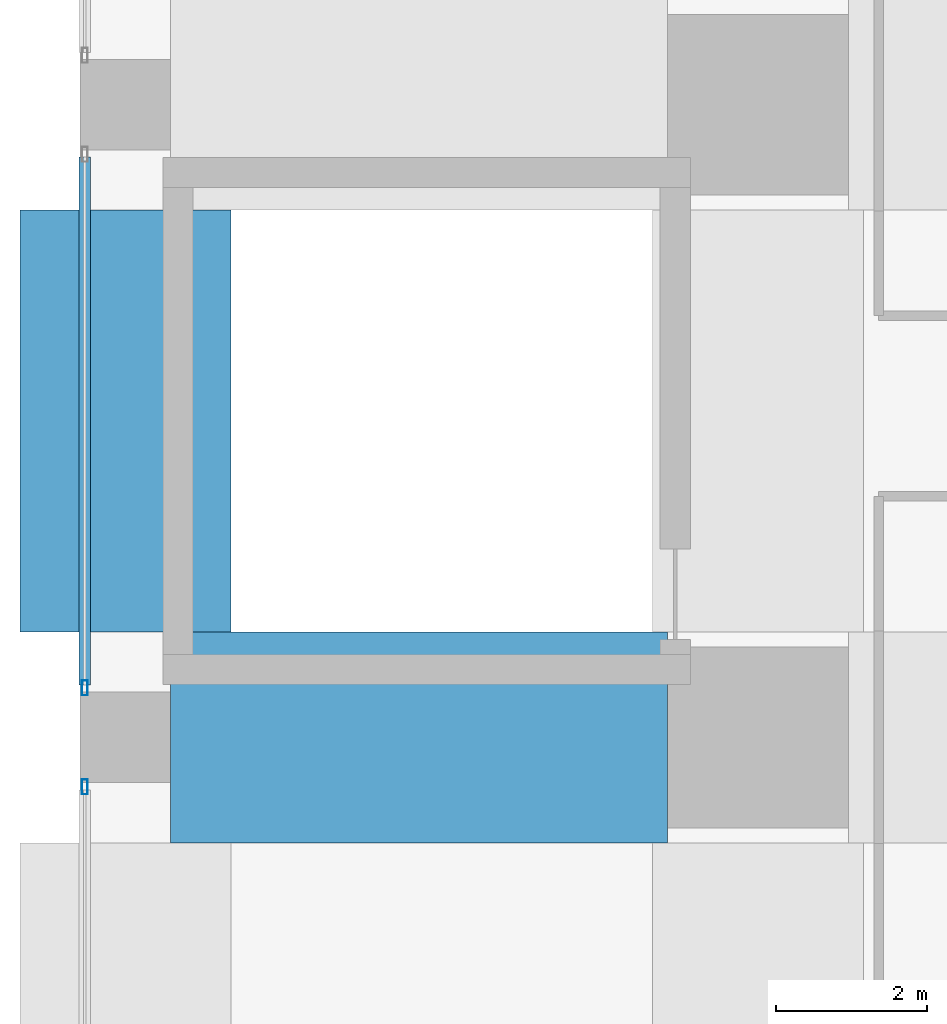
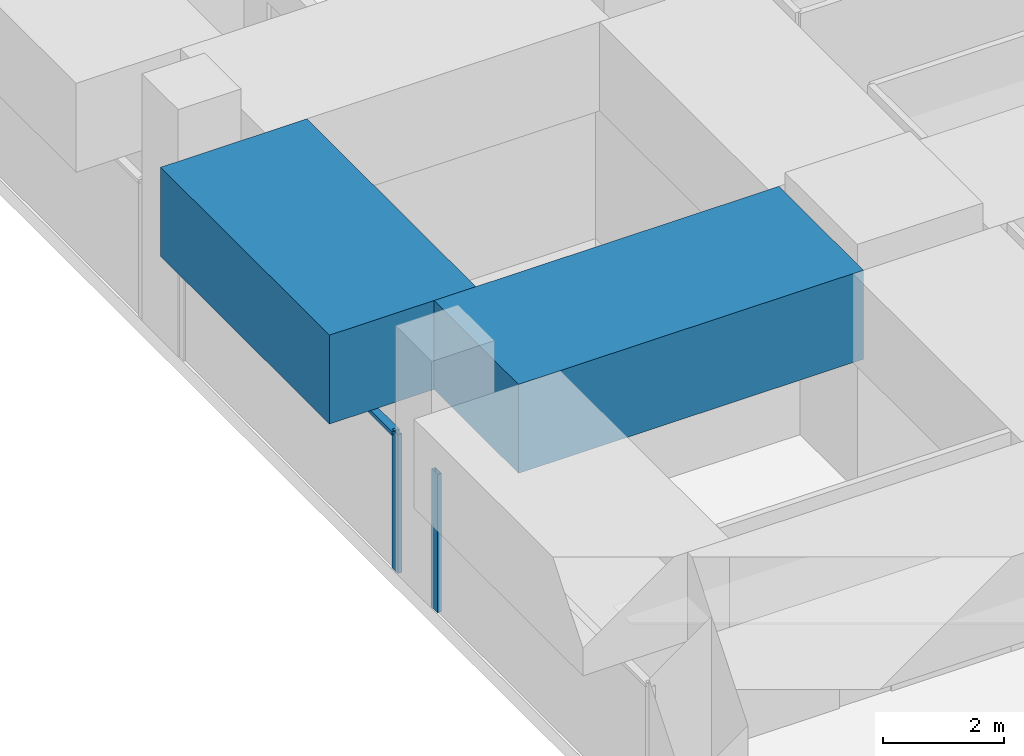
# One storey, part 11 of 52: 3 members, 2 beams, 2 elements without a shape of their own.
"""IFC4 building model written with IfcOpenShell, lengths in metres."""

from ifc_helpers import new_model, si_unit, direction, frame, origin, origin_2d, place, context, subcontext, project, spatial, rectangle, hollow_rectangle, extrude, material, material_profile, profile_set, type_object, element, aggregate, save


model = new_model("IFC4")

# Units and contexts
model_context = context("Model", 3, precision=1e-05, world=origin(), true_north=direction((0.0, 1.0)))
body_context = subcontext(model_context, "Body", "Model", "MODEL_VIEW")
ifc_project = project(units=[si_unit("LENGTHUNIT", "METRE"), si_unit("AREAUNIT", "SQUARE_METRE"), si_unit("VOLUMEUNIT", "CUBIC_METRE"), si_unit("PLANEANGLEUNIT", "RADIAN"), si_unit("MASSUNIT", "GRAM", prefix="KILO")], contexts=[model_context])

# Site, building, storey
site_placement = place(None, origin())
site = spatial("IfcSite", under=ifc_project, at=site_placement, CompositionType="ELEMENT")
building_placement = place(site_placement, origin())
building = spatial("IfcBuilding", under=site, at=building_placement, Name="Rekha Terrace Tower", CompositionType="ELEMENT")
storey_placement = place(building_placement, frame((0.0, 0.0, 20.39990234375)))
storey = spatial("IfcBuildingStorey", under=building, at=storey_placement, Name="L04", CompositionType="ELEMENT", Elevation=20.39990234375)

# Curtain wall, member
ifc_material_1 = material(Name="Aluminium framing", Category="aluminium")
curtain_wall_type = type_object("IfcCurtainWallType", Name="CW4 podium shopfront glazing", PredefinedType="USERDEFINED", material=ifc_material_1)
curtain_wall_1_placement = place(storey_placement, origin())
curtain_wall_1 = element("IfcCurtainWall", 1, at=curtain_wall_1_placement, inside=storey, type_object=curtain_wall_type, Name="CW4 shopfront curtain wall", ObjectType="SHOPFRONT CURTAIN WALL", PredefinedType="USERDEFINED")
ifc_material_2 = material(Name="Aluminium mullion section", Category="aluminium")
ifc_material_profile_1 = material_profile(ifc_material_2, hollow_rectangle(XDim=0.074951171875, YDim=0.199951171875, WallThickness=0.00390625, at=origin_2d()), Name="AL RHS 75x200")
ifc_profile_set_1 = profile_set([ifc_material_profile_1], Name="Aluminium mullion section")
member_type_1 = type_object("IfcMemberType", Name="CW4 mullion RHS 75 x 200", PredefinedType="MULLION", material=ifc_profile_set_1)
member_1_placement = place(storey_placement, frame((-0.5400390625, 25.857421875, 0.0), z_axis=(0.0, 0.0, 1.0), x_axis=(1.0, 0.0, 0.0)))
member_1 = element("IfcMember", 2, at=member_1_placement, type_object=member_type_1, Name="CW4 mullion 2", PredefinedType="MULLION", context=body_context, shape_type="SweptSolid", body=[
    extrude(hollow_rectangle(XDim=0.074951171875, YDim=0.199951171875, WallThickness=0.00390625, at=origin_2d()), origin(), (0.0, 0.0, 1.0), 2.800048828125),
])

curtain_wall_2_placement = place(storey_placement, origin())
curtain_wall_2 = element("IfcCurtainWall", 3, at=curtain_wall_2_placement, inside=storey, type_object=curtain_wall_type, Name="CW4 shopfront curtain wall", ObjectType="SHOPFRONT CURTAIN WALL", PredefinedType="USERDEFINED")
member_2_placement = place(storey_placement, frame((-0.5400390625, 24.54248046875, 0.0), z_axis=(0.0, 0.0, 1.0), x_axis=(1.0, 0.0, 0.0)))
member_2 = element("IfcMember", 4, at=member_2_placement, type_object=member_type_1, Name="CW4 mullion 1", PredefinedType="MULLION", context=body_context, shape_type="SweptSolid", body=[
    extrude(hollow_rectangle(XDim=0.074951171875, YDim=0.199951171875, WallThickness=0.00390625, at=origin_2d()), origin(), (0.0, 0.0, 1.0), 2.800048828125),
])
aggregate(curtain_wall_2, [member_2])

# Member
ifc_material_3 = material(Name="Aluminium transom section", Category="aluminium")
ifc_material_profile_2 = material_profile(ifc_material_3, hollow_rectangle(XDim=0.14990234375, YDim=0.074951171875, WallThickness=0.0029296875, at=origin_2d()), Name="AL RHS 150x75")
ifc_profile_set_2 = profile_set([ifc_material_profile_2], Name="Aluminium transom section")
member_type_2 = type_object("IfcMemberType", Name="CW4 transom RHS 75 x 150", PredefinedType="USERDEFINED", material=ifc_profile_set_2)
member_3_placement = place(storey_placement, frame((-0.5400390625, 32.905029296875, 2.7626953125), z_axis=(0.0, -1.0, 0.0), x_axis=(1.0, 0.0, 0.0)))
member_3 = element("IfcMember", 5, at=member_3_placement, type_object=member_type_2, Name="CW4 transom 1.2", ObjectType="TRANSOM", PredefinedType="USERDEFINED", context=body_context, shape_type="SweptSolid", body=[
    extrude(hollow_rectangle(XDim=0.14990234375, YDim=0.074951171875, WallThickness=0.0029296875, at=origin_2d()), origin(), (0.0, 0.0, 1.0), 7.010009765625),
])

aggregate(curtain_wall_1, [member_1, member_3])

# Beams
ifc_material_4 = material(Name="Concrete M70", Category="concrete")
ifc_material_profile_3 = material_profile(ifc_material_4, rectangle(XDim=2.800048828125, YDim=1.800048828125, at=origin_2d()), Name="RC 2800x1800")
ifc_profile_set_3 = profile_set([ifc_material_profile_3], Name="Concrete M70")
beam_type = type_object("IfcBeamType", Name="G2 2800x1800 podium roof band beam", PredefinedType="BEAM", material=ifc_profile_set_3)
beam_1_placement = place(storey_placement, frame((0.60009765625, 25.199951171875, 3.7001953125), z_axis=(1.0, 0.0, 0.0), x_axis=(0.0, 1.0, 0.0)))
element("IfcBeam", 6, at=beam_1_placement, inside=storey, type_object=beam_type, Name="Beam G2 1D-2D under L05", PredefinedType="BEAM", context=body_context, shape_type="SweptSolid", body=[
    extrude(rectangle(XDim=2.800048828125, YDim=1.800048828125, at=origin_2d()), origin(), (0.0, 0.0, 1.0), 6.599853515625),
])
beam_2_placement = place(storey_placement, frame((0.0, 26.60009765625, 3.7001953125), z_axis=(0.0, 1.0, 0.0), x_axis=(-1.0, 0.0, 0.0)))
element("IfcBeam", 7, at=beam_2_placement, inside=storey, type_object=beam_type, Name="Beam G2 1D-1E under L05", PredefinedType="BEAM", context=body_context, shape_type="SweptSolid", body=[
    extrude(rectangle(XDim=2.800048828125, YDim=1.800048828125, at=origin_2d()), origin(), (0.0, 0.0, 1.0), 5.599853515625),
])

save(model, "model.ifc")
